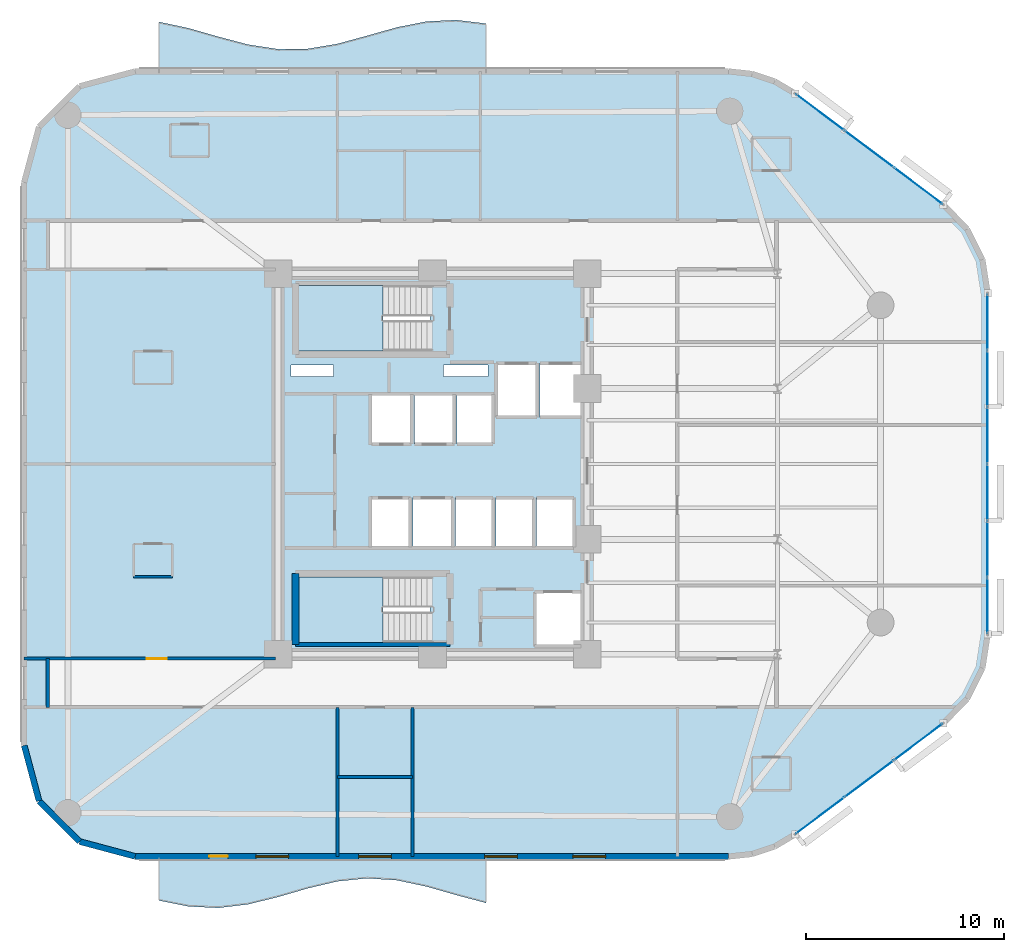
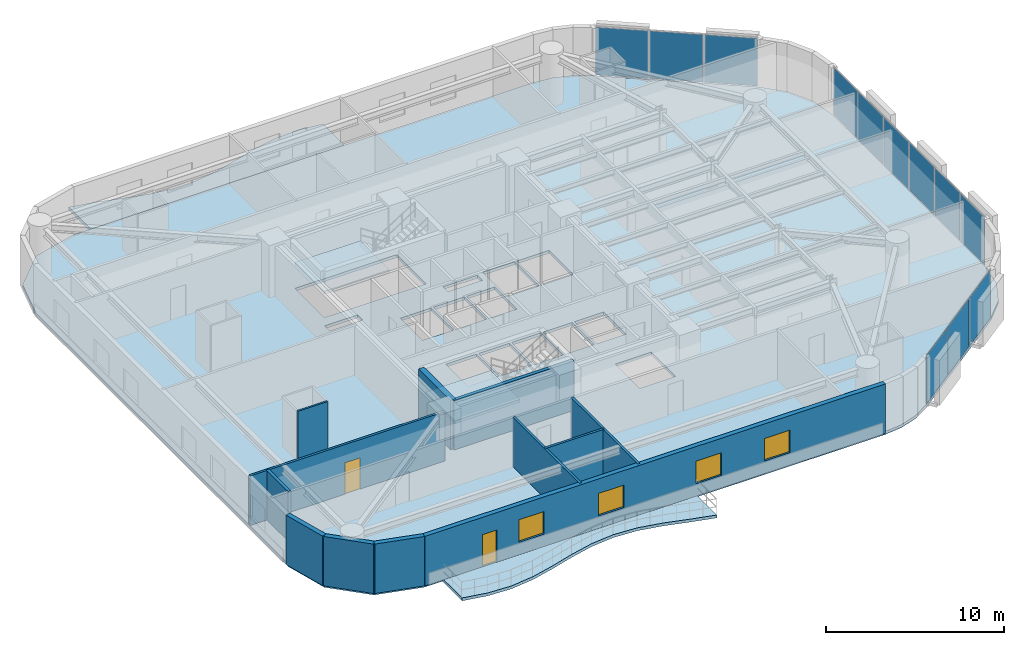
# One storey, part 9 of 15: 12 plates, 12 walls, 5 slabs, 4 windows, 2 doors, 6 openings, 5 elements without a shape of their own.
"""IFC4 building model written with IfcOpenShell, lengths in metres."""

import ifcopenshell
import ifcopenshell.guid

model = None  # the IFC model being written
_history = None  # IfcOwnerHistory: only IFC2X3 demands one
_inside = {}  # id of a spatial element -> (the spatial element, [elements in it])
_under = {}  # id of a project, library or spatial element -> (it, [spatial elements below it])
_declared = {}  # id of a project -> (the project, [libraries it declares])
_typed = {}  # id of a type object -> (the type object, [elements of that type])
_made_of = {}  # id of a material, layer set ... -> (it, [elements and type objects made of it])


def new_model(schema):
    """Start an empty IFC model of exactly this schema.

    Asked for "IFC4X3", IfcOpenShell would pick the latest addendum, in which some entities
    have other attributes; the version numbers below select the first issue.
    IFC2X3 requires an IfcOwnerHistory on every rooted entity: one is made here for all.
    """
    global model, _history
    if schema == "IFC4X3":
        model = ifcopenshell.file(schema_version=(4, 3, 0, 0))
    else:
        model = ifcopenshell.file(schema=schema)
    _inside.clear()
    _under.clear()
    _declared.clear()
    _typed.clear()
    _made_of.clear()
    _history = None
    if model.schema == "IFC2X3":
        org = make("IfcOrganization", Name="unknown")
        user = make(
            "IfcPersonAndOrganization",
            ThePerson=make("IfcPerson", FamilyName="unknown"),
            TheOrganization=org,
        )
        app = make(
            "IfcApplication",
            ApplicationDeveloper=org,
            Version="unknown",
            ApplicationFullName="unknown",
            ApplicationIdentifier="unknown",
        )
        _history = make(
            "IfcOwnerHistory",
            OwningUser=user,
            OwningApplication=app,
            ChangeAction="ADDED",
            CreationDate=0,
        )
    return model


def make(cls, **values):
    """One entity of the class cls with the attributes given. An attribute that is None is left unset."""
    return model.create_entity(
        cls, **{name: value for name, value in values.items() if value is not None}
    )


def rooted(cls, **values):
    """An entity with a GlobalId (a new one), such as an element, a storey or a relation."""
    return make(cls, GlobalId=ifcopenshell.guid.new(), OwnerHistory=_history, **values)


def si_unit(unit_type, name, prefix=None):
    """IfcSIUnit, for example si_unit("LENGTHUNIT", "METRE", prefix="MILLI")."""
    return make("IfcSIUnit", UnitType=unit_type, Prefix=prefix, Name=name)


def assignment(units):
    """IfcUnitAssignment: the units of a project."""
    return None if units is None else make("IfcUnitAssignment", Units=units)


def point(xyz):
    """IfcCartesianPoint."""
    return None if xyz is None else make("IfcCartesianPoint", Coordinates=xyz)


def direction(xyz):
    """IfcDirection."""
    return None if xyz is None else make("IfcDirection", DirectionRatios=xyz)


def frame(location, z_axis=None, x_axis=None):
    """IfcAxis2Placement3D, a coordinate frame: its origin and axes. An axis left out is left unset."""
    return make(
        "IfcAxis2Placement3D",
        Location=point(location),
        Axis=direction(z_axis),
        RefDirection=direction(x_axis),
    )


def frame_2d(location, x_axis=None):
    """IfcAxis2Placement2D, a coordinate frame in the plane: its origin and x axis."""
    return make(
        "IfcAxis2Placement2D", Location=point(location), RefDirection=direction(x_axis)
    )


def origin():
    """The frame at (0, 0, 0) with its axes left unset."""
    return frame((0.0, 0.0, 0.0))


def origin_2d():
    """The frame at (0, 0) in the plane with its x axis left unset."""
    return frame_2d((0.0, 0.0))


def place(relative_to, where):
    """IfcLocalPlacement: puts the frame where relative to a parent placement (None: the world)."""
    return make(
        "IfcLocalPlacement", PlacementRelTo=relative_to, RelativePlacement=where
    )


def context(
    kind, dimensions, precision=None, world=None, true_north=None, identifier=None
):
    """IfcGeometricRepresentationContext, for example the 3D "Model" context."""
    return make(
        "IfcGeometricRepresentationContext",
        ContextIdentifier=identifier,
        ContextType=kind,
        CoordinateSpaceDimension=dimensions,
        Precision=precision,
        WorldCoordinateSystem=world,
        TrueNorth=true_north,
    )


def subcontext(parent, identifier, kind, view, scale=None):
    """IfcGeometricRepresentationSubContext, for example "Body" below "Model"."""
    return make(
        "IfcGeometricRepresentationSubContext",
        ContextIdentifier=identifier,
        ContextType=kind,
        ParentContext=parent,
        TargetScale=scale,
        TargetView=view,
    )


def project(units=None, contexts=None):
    """IfcProject with its units and contexts."""
    return rooted(
        "IfcProject",
        Name="project",
        RepresentationContexts=contexts,
        UnitsInContext=assignment(units),
    )


def spatial(cls, under=None, at=None, **own):
    """A site, building, storey or space (cls), placed at a placement, below another one or the project."""
    s = rooted(cls, ObjectPlacement=at, **own)
    if under is not None:
        _under.setdefault(under.id(), (under, []))[1].append(s)
    return s


def polyline(points):
    """IfcPolyline through the points."""
    return make("IfcPolyline", Points=[point(p) for p in points])


def profile(cls, at=None, kind="AREA", **sizes):
    """A parametric profile (cls). Its sizes go by their IFC names, for example OverallWidth=200.0."""
    return make(cls, ProfileType=kind, Position=at, **sizes)


def rectangle(**sizes):
    """IfcRectangleProfileDef."""
    return profile("IfcRectangleProfileDef", **sizes)


def outline(outer, holes=None, kind="AREA"):
    """IfcArbitraryClosedProfileDef: a profile drawn as a closed curve; with holes, ...WithVoids."""
    if holes is None:
        return make("IfcArbitraryClosedProfileDef", ProfileType=kind, OuterCurve=outer)
    return make(
        "IfcArbitraryProfileDefWithVoids",
        ProfileType=kind,
        OuterCurve=outer,
        InnerCurves=holes,
    )


def extrude(swept, where, along, depth):
    """IfcExtrudedAreaSolid: the profile swept, set in the frame where, extruded along a direction by depth."""
    return make(
        "IfcExtrudedAreaSolid",
        SweptArea=swept,
        Position=where,
        ExtrudedDirection=direction(along),
        Depth=depth,
    )


def shape(context_of_items, identifier, shape_type, items):
    """IfcShapeRepresentation: the items that make up one representation, for example the "Body"."""
    return make(
        "IfcShapeRepresentation",
        ContextOfItems=context_of_items,
        RepresentationIdentifier=identifier,
        RepresentationType=shape_type,
        Items=items,
    )


def material(Name=None, Category=None):
    """IfcMaterial."""
    return make("IfcMaterial", Name=Name, Category=Category)


def layer(
    of_material, thickness, ventilated=None, Name=None, Category=None, Priority=None
):
    """IfcMaterialLayer: one layer of a wall or slab, of a material (None: an air gap)."""
    return make(
        "IfcMaterialLayer",
        Material=of_material,
        LayerThickness=thickness,
        IsVentilated=ventilated,
        Name=Name,
        Category=Category,
        Priority=Priority,
    )


def layer_set(layers, Name=None):
    """IfcMaterialLayerSet."""
    return make("IfcMaterialLayerSet", MaterialLayers=layers, LayerSetName=Name)


def made_of(thing, what):
    """Note that an element or type object is made of a material, layer set ...; save() writes the relation."""
    if what is not None:
        _made_of.setdefault(what.id(), (what, []))[1].append(thing)
    return thing


def type_object(cls, material=None, **own):
    """A type object (cls), such as IfcWallType, which elements share."""
    return made_of(rooted(cls, **own), material)


def element(
    cls,
    number,
    at=None,
    inside=None,
    cuts=None,
    type_object=None,
    material=None,
    context=None,
    identifier="Body",
    shape_type=None,
    held_by="IfcProductDefinitionShape",
    body=None,
    shapes=None,
    **own,
):
    """One element of the class cls, such as IfcWall. Its Tag is "e" and its number.

    at: its placement. inside: the storey or other place that contains it. cuts: it is an
    opening in that element (IfcRelVoidsElement). A single representation is given by context,
    identifier, shape_type and body (its items); several are given by shapes. held_by: the class
    of the entity that holds the representations. save() writes the other relations.
    """
    e = rooted(cls, Tag="e%d" % number, ObjectPlacement=at, **own)
    if body is not None:
        shapes = [shape(context, identifier, shape_type, body)]
    if shapes is not None:
        e.Representation = make(held_by, Representations=shapes)
    if inside is not None:
        _inside.setdefault(inside.id(), (inside, []))[1].append(e)
    if cuts is not None:
        rooted(
            "IfcRelVoidsElement", RelatingBuildingElement=cuts, RelatedOpeningElement=e
        )
    if type_object is not None:
        _typed.setdefault(type_object.id(), (type_object, []))[1].append(e)
    return made_of(e, material)


def fill(opening, filler):
    """IfcRelFillsElement: the door or window that sits in an opening."""
    return rooted(
        "IfcRelFillsElement",
        RelatingOpeningElement=opening,
        RelatedBuildingElement=filler,
    )


def aggregate(whole, parts):
    """IfcRelAggregates: a whole, such as a stair, and the parts it consists of."""
    return rooted("IfcRelAggregates", RelatingObject=whole, RelatedObjects=parts)


def save(model, path):
    """Write the relations noted so far, then the file.

    IfcRelAggregates (storeys below a building ...), IfcRelContainedInSpatialStructure (elements
    in a storey), IfcRelDefinesByType, IfcRelAssociatesMaterial and IfcRelDeclares: one each for
    every whole, place, type object, material and project.
    """
    for whole, parts in _under.values():
        aggregate(whole, parts)
    for where, things in _inside.values():
        rooted(
            "IfcRelContainedInSpatialStructure",
            RelatedElements=things,
            RelatingStructure=where,
        )
    for kind, things in _typed.values():
        rooted("IfcRelDefinesByType", RelatedObjects=things, RelatingType=kind)
    for what, things in _made_of.values():
        rooted("IfcRelAssociatesMaterial", RelatedObjects=things, RelatingMaterial=what)
    for by, libraries in _declared.values():
        rooted("IfcRelDeclares", RelatingContext=by, RelatedDefinitions=libraries)
    model.write(path)


model = new_model("IFC4")

# Units and contexts
model_context = context("Model", 3, precision=1e-05, world=origin(), true_north=direction((0.0, 1.0)))
body_context = subcontext(model_context, "Body", "Model", "MODEL_VIEW")
ifc_project = project(units=[si_unit("LENGTHUNIT", "METRE"), si_unit("AREAUNIT", "SQUARE_METRE"), si_unit("VOLUMEUNIT", "CUBIC_METRE"), si_unit("PLANEANGLEUNIT", "RADIAN"), si_unit("MASSUNIT", "GRAM", prefix="KILO")], contexts=[model_context])

# Site, building, storey
site_placement = place(None, origin())
site = spatial("IfcSite", under=ifc_project, at=site_placement, CompositionType="ELEMENT")
building_placement = place(site_placement, origin())
building = spatial("IfcBuilding", under=site, at=building_placement, Name="An Khanh Terracotta Commons", CompositionType="ELEMENT")
storey_placement = place(building_placement, frame((0.0, 0.0, 122.300048828125)))
storey = spatial("IfcBuildingStorey", under=building, at=storey_placement, Name="L32", CompositionType="ELEMENT", Elevation=122.300048828125)

# Curtain wall, plates
ifc_material_1 = material(Name="Anodised Aluminium 6063-T6", Category="aluminium")
ifc_layer_1 = layer(ifc_material_1, 0.199951171875, Name="Anodised Aluminium 6063-T6")
ifc_layer_set_1 = layer_set([ifc_layer_1], Name="Anodised Aluminium 6063-T6")
curtain_wall_type = type_object("IfcCurtainWallType", Name="CW-SYS-02", PredefinedType="USERDEFINED", material=ifc_layer_set_1)
curtain_wall_1_placement = place(storey_placement, origin())
curtain_wall_1 = element("IfcCurtainWall", 1, at=curtain_wall_1_placement, inside=storey, type_object=curtain_wall_type, Name="L32 CW-02 Unitised Curtain Wall CW-L32-08", ObjectType="UNITISED CURTAIN WALL", PredefinedType="USERDEFINED")
ifc_material_2 = material(Name="Double Low-E Solar Control Glazing", Category="glass")
ifc_layer_2 = layer(ifc_material_2, 0.028076171875, Name="Double Low-E Solar Control Glazing")
ifc_layer_set_2 = layer_set([ifc_layer_2], Name="Double Low-E Solar Control Glazing")
plate_type = type_object("IfcPlateType", Name="CWP-IGU-28", PredefinedType="CURTAIN_PANEL", material=ifc_layer_set_2)
plate_1_placement = place(storey_placement, frame((48.951416015625, 6.263916015625, 0.06005859375), z_axis=(0.0, 0.0, 1.0), x_axis=(0.800012856594, 0.599982857492, 0.0)))
plate_1 = element("IfcPlate", 2, at=plate_1_placement, type_object=plate_type, Name="CW-02 panel 1.1", PredefinedType="CURTAIN_PANEL", context=body_context, shape_type="SweptSolid", body=[
    extrude(rectangle(XDim=3.006103515625, YDim=0.028076171875, at=origin_2d()), origin(), (0.0, 0.0, 1.0), 3.280029296875),
])
plate_2_placement = place(storey_placement, frame((51.426513671875, 8.1201171875, 0.06005859375), z_axis=(0.0, 0.0, 1.0), x_axis=(0.800012856594, 0.599982857492, 0.0)))
plate_2 = element("IfcPlate", 3, at=plate_2_placement, type_object=plate_type, Name="CW-02 panel 2.1", PredefinedType="CURTAIN_PANEL", context=body_context, shape_type="SweptSolid", body=[
    extrude(rectangle(XDim=3.041259765625, YDim=0.028076171875, at=origin_2d()), origin(), (0.0, 0.0, 1.0), 3.280029296875),
])
plate_3_placement = place(storey_placement, frame((53.901611328125, 9.97607421875, 0.06005859375), z_axis=(0.0, 0.0, 1.0), x_axis=(0.800012856594, 0.599982857492, 0.0)))
plate_3 = element("IfcPlate", 4, at=plate_3_placement, type_object=plate_type, Name="CW-02 panel 3.1", PredefinedType="CURTAIN_PANEL", context=body_context, shape_type="SweptSolid", body=[
    extrude(rectangle(XDim=3.006103515625, YDim=0.028076171875, at=origin_2d()), origin(), (0.0, 0.0, 1.0), 3.280029296875),
])
aggregate(curtain_wall_1, [plate_1, plate_2, plate_3])

curtain_wall_2_placement = place(storey_placement, origin())
curtain_wall_2 = element("IfcCurtainWall", 5, at=curtain_wall_2_placement, inside=storey, type_object=curtain_wall_type, Name="L32 CW-02 Unitised Curtain Wall CW-L32-12", ObjectType="UNITISED CURTAIN WALL", PredefinedType="USERDEFINED")
plate_4_placement = place(storey_placement, frame((57.39990234375, 16.850830078125, 0.06005859375), z_axis=(0.0, 0.0, 1.0), x_axis=(0.0, 1.0, 0.0)))
plate_4 = element("IfcPlate", 6, at=plate_4_placement, type_object=plate_type, Name="CW-02 panel 1.1", PredefinedType="CURTAIN_PANEL", context=body_context, shape_type="SweptSolid", body=[
    extrude(rectangle(XDim=2.76171875, YDim=0.028076171875, at=origin_2d()), origin(), (0.0, 0.0, 1.0), 3.280029296875),
])
plate_5_placement = place(storey_placement, frame((57.39990234375, 19.699951171875, 0.06005859375), z_axis=(0.0, 0.0, 1.0), x_axis=(0.0, 1.0, 0.0)))
plate_5 = element("IfcPlate", 7, at=plate_5_placement, type_object=plate_type, Name="CW-02 panel 2.1", PredefinedType="CURTAIN_PANEL", context=body_context, shape_type="SweptSolid", body=[
    extrude(rectangle(XDim=2.796630859375, YDim=0.028076171875, at=origin_2d()), origin(), (0.0, 0.0, 1.0), 3.280029296875),
])
plate_6_placement = place(storey_placement, frame((57.39990234375, 22.566650390625, 0.06005859375), z_axis=(0.0, 0.0, 1.0), x_axis=(0.0, 1.0, 0.0)))
plate_6 = element("IfcPlate", 8, at=plate_6_placement, type_object=plate_type, Name="CW-02 panel 3.1", PredefinedType="CURTAIN_PANEL", context=body_context, shape_type="SweptSolid", body=[
    extrude(rectangle(XDim=2.796630859375, YDim=0.028076171875, at=origin_2d()), origin(), (0.0, 0.0, 1.0), 3.280029296875),
])
plate_7_placement = place(storey_placement, frame((57.39990234375, 25.433349609375, 0.06005859375), z_axis=(0.0, 0.0, 1.0), x_axis=(0.0, 1.0, 0.0)))
plate_7 = element("IfcPlate", 9, at=plate_7_placement, type_object=plate_type, Name="CW-02 panel 4.1", PredefinedType="CURTAIN_PANEL", context=body_context, shape_type="SweptSolid", body=[
    extrude(rectangle(XDim=2.796630859375, YDim=0.028076171875, at=origin_2d()), origin(), (0.0, 0.0, 1.0), 3.280029296875),
])
plate_8_placement = place(storey_placement, frame((57.39990234375, 28.300048828125, 0.06005859375), z_axis=(0.0, 0.0, 1.0), x_axis=(0.0, 1.0, 0.0)))
plate_8 = element("IfcPlate", 10, at=plate_8_placement, type_object=plate_type, Name="CW-02 panel 5.1", PredefinedType="CURTAIN_PANEL", context=body_context, shape_type="SweptSolid", body=[
    extrude(rectangle(XDim=2.796630859375, YDim=0.028076171875, at=origin_2d()), origin(), (0.0, 0.0, 1.0), 3.280029296875),
])
plate_9_placement = place(storey_placement, frame((57.39990234375, 31.149169921875, 0.06005859375), z_axis=(0.0, 0.0, 1.0), x_axis=(0.0, 1.0, 0.0)))
plate_9 = element("IfcPlate", 11, at=plate_9_placement, type_object=plate_type, Name="CW-02 panel 6.1", PredefinedType="CURTAIN_PANEL", context=body_context, shape_type="SweptSolid", body=[
    extrude(rectangle(XDim=2.76171875, YDim=0.028076171875, at=origin_2d()), origin(), (0.0, 0.0, 1.0), 3.280029296875),
])
aggregate(curtain_wall_2, [plate_4, plate_5, plate_6, plate_7, plate_8, plate_9])

curtain_wall_3_placement = place(storey_placement, origin())
curtain_wall_3 = element("IfcCurtainWall", 12, at=curtain_wall_3_placement, inside=storey, type_object=curtain_wall_type, Name="L32 CW-02 Unitised Curtain Wall CW-L32-16", ObjectType="UNITISED CURTAIN WALL", PredefinedType="USERDEFINED")
plate_10_placement = place(storey_placement, frame((53.901611328125, 38.02392578125, 0.06005859375), z_axis=(0.0, 0.0, 1.0), x_axis=(-0.800012856594, 0.599982857492, 0.0)))
plate_10 = element("IfcPlate", 13, at=plate_10_placement, type_object=plate_type, Name="CW-02 panel 1.1", PredefinedType="CURTAIN_PANEL", context=body_context, shape_type="SweptSolid", body=[
    extrude(rectangle(XDim=3.006103515625, YDim=0.028076171875, at=origin_2d()), origin(), (0.0, 0.0, 1.0), 3.280029296875),
])
plate_11_placement = place(storey_placement, frame((51.426513671875, 39.8798828125, 0.06005859375), z_axis=(0.0, 0.0, 1.0), x_axis=(-0.800012856594, 0.599982857492, 0.0)))
plate_11 = element("IfcPlate", 14, at=plate_11_placement, type_object=plate_type, Name="CW-02 panel 2.1", PredefinedType="CURTAIN_PANEL", context=body_context, shape_type="SweptSolid", body=[
    extrude(rectangle(XDim=3.041259765625, YDim=0.028076171875, at=origin_2d()), origin(), (0.0, 0.0, 1.0), 3.280029296875),
])
plate_12_placement = place(storey_placement, frame((48.951416015625, 41.736083984375, 0.06005859375), z_axis=(0.0, 0.0, 1.0), x_axis=(-0.800012856594, 0.599982857492, 0.0)))
plate_12 = element("IfcPlate", 15, at=plate_12_placement, type_object=plate_type, Name="CW-02 panel 3.1", PredefinedType="CURTAIN_PANEL", context=body_context, shape_type="SweptSolid", body=[
    extrude(rectangle(XDim=3.006103515625, YDim=0.028076171875, at=origin_2d()), origin(), (0.0, 0.0, 1.0), 3.280029296875),
])
aggregate(curtain_wall_3, [plate_10, plate_11, plate_12])

# Slabs
ifc_material_3 = material(Name="Concrete C40/50", Category="concrete")
ifc_layer_3 = layer(ifc_material_3, 0.199951171875, Name="Concrete C40/50")
ifc_layer_set_3 = layer_set([ifc_layer_3], Name="Concrete C40/50")
slab_type_1 = type_object("IfcSlabType", Name="SLAB-BALC-200", PredefinedType="FLOOR", material=ifc_layer_set_3)
slab_1_placement = place(storey_placement, frame((0.0, 0.0, -0.199951171875)))
element("IfcSlab", 16, at=slab_1_placement, inside=storey, type_object=slab_type_1, Name="L32 S Sinusoidal Wave Balcony Slab", PredefinedType="FLOOR", context=body_context, shape_type="SweptSolid", body=[
    extrude(outline(polyline([(15.60009765625, 4.199951171875), (15.60009765625, 1.97509765625), (17.10009765625, 1.677001953125), (18.60009765625, 1.60595703125), (20.10009765625, 1.785888671875), (21.60009765625, 2.156005859375), (23.10009765625, 2.591064453125), (24.60009765625, 2.945068359375), (26.10009765625, 3.097900390625), (27.60009765625, 3.0), (29.10009765625, 2.681884765625), (30.60009765625, 2.251953125), (32.10009765625, 1.85498046875), (32.10009765625, 4.199951171875), (15.60009765625, 4.199951171875)])), origin(), (0.0, 0.0, 1.0), 0.199951171875),
])
slab_2_placement = place(storey_placement, frame((0.0, 0.0, -0.199951171875)))
element("IfcSlab", 17, at=slab_2_placement, inside=storey, type_object=slab_type_1, Name="L32 N Sinusoidal Wave Balcony Slab", PredefinedType="FLOOR", context=body_context, shape_type="SweptSolid", body=[
    extrude(outline(polyline([(32.10009765625, 43.800048828125), (32.10009765625, 46.214111328125), (30.60009765625, 46.39404296875), (29.10009765625, 46.322998046875), (27.60009765625, 46.02490234375), (26.10009765625, 45.60107421875), (24.60009765625, 45.193115234375), (23.10009765625, 44.93994140625), (21.60009765625, 44.926025390625), (20.10009765625, 45.155029296875), (18.60009765625, 45.552001953125), (17.10009765625, 45.98193359375), (15.60009765625, 46.300048828125), (15.60009765625, 43.800048828125), (32.10009765625, 43.800048828125)])), origin(), (0.0, 0.0, 1.0), 0.199951171875),
])

# Stair, slab
ifc_material_4 = material(Name="Precast concrete C40/50", Category="concrete")
stair_type = type_object("IfcStairType", Name="STAIR-CORE-1550", PredefinedType="HALF_TURN_STAIR", material=ifc_material_4)
stair_1_placement = place(storey_placement, origin())
stair_1 = element("IfcStair", 18, at=stair_1_placement, inside=storey, type_object=stair_type, Name="L32 Core Smokeproof Exit Stair ST-01", PredefinedType="HALF_TURN_STAIR")
ifc_layer_4 = layer(ifc_material_3, 0.18994140625, Name="Concrete C40/50")
ifc_layer_set_4 = layer_set([ifc_layer_4], Name="Concrete C40/50")
slab_type_2 = type_object("IfcSlabType", Name="SLAB-LANDING-190", PredefinedType="LANDING", material=ifc_layer_set_4)
slab_3_placement = place(storey_placement, frame((0.0, 0.0, 1.599853515625)))
slab_3 = element("IfcSlab", 19, at=slab_3_placement, type_object=slab_type_2, Name="ST-01 landing 1", PredefinedType="LANDING", context=body_context, shape_type="SweptSolid", body=[
    extrude(outline(polyline([(26.889892578125, 33.0), (22.64990234375, 33.0), (22.64990234375, 29.699951171875), (26.889892578125, 29.699951171875), (26.889892578125, 33.0)])), origin(), (0.0, 0.0, 1.0), 0.2001953125),
])
aggregate(stair_1, [slab_3])

stair_2_placement = place(storey_placement, origin())
stair_2 = element("IfcStair", 20, at=stair_2_placement, inside=storey, type_object=stair_type, Name="L32 Core Smokeproof Exit Stair ST-02", PredefinedType="HALF_TURN_STAIR")
slab_4_placement = place(storey_placement, frame((0.0, 0.0, 1.599853515625)))
slab_4 = element("IfcSlab", 21, at=slab_4_placement, type_object=slab_type_2, Name="ST-02 landing 1", PredefinedType="LANDING", context=body_context, shape_type="SweptSolid", body=[
    extrude(outline(polyline([(26.889892578125, 18.300048828125), (22.64990234375, 18.300048828125), (22.64990234375, 15.0), (26.889892578125, 15.0), (26.889892578125, 18.300048828125)])), origin(), (0.0, 0.0, 1.0), 0.2001953125),
])
aggregate(stair_2, [slab_4])

# Slab
ifc_layer_5 = layer(ifc_material_3, 0.199951171875, Name="Concrete C40/50")
ifc_layer_set_5 = layer_set([ifc_layer_5], Name="Concrete C40/50")
slab_type_3 = type_object("IfcSlabType", Name="SLAB-TYP-200", PredefinedType="FLOOR", material=ifc_layer_set_5)
slab_5_placement = place(storey_placement, frame((0.0, 0.0, -0.199951171875)))
element("IfcSlab", 22, at=slab_5_placement, inside=storey, type_object=slab_type_3, Name="L32 Structural Floor Slab", PredefinedType="FLOOR", context=body_context, shape_type="SweptSolid", body=[
    extrude(outline(polyline([(8.800048828125, 9.800048828125), (9.550048828125, 7.0), (11.60009765625, 4.949951171875), (14.39990234375, 4.199951171875), (44.3330078125, 4.199951171875), (45.52490234375, 4.327880859375), (46.6630859375, 4.70703125), (47.693115234375, 5.320068359375), (55.159912109375, 10.919921875), (56.364013671875, 12.154052734375), (57.135009765625, 13.696044921875), (57.39990234375, 15.39990234375), (57.39990234375, 32.60009765625), (57.135009765625, 34.303955078125), (56.364013671875, 35.845947265625), (55.159912109375, 37.080078125), (47.693115234375, 42.679931640625), (46.6630859375, 43.29296875), (45.52490234375, 43.672119140625), (44.3330078125, 43.800048828125), (14.39990234375, 43.800048828125), (11.60009765625, 43.050048828125), (9.550048828125, 41.0), (8.800048828125, 38.199951171875), (8.800048828125, 9.800048828125)]), holes=[polyline([(22.64990234375, 29.699951171875), (29.27001953125, 29.699951171875), (29.27001953125, 33.0), (22.64990234375, 33.0), (22.64990234375, 29.699951171875)]), polyline([(22.64990234375, 15.0), (29.27001953125, 15.0), (29.27001953125, 18.300048828125), (22.64990234375, 18.300048828125), (22.64990234375, 15.0)]), polyline([(32.60009765625, 26.35009765625), (34.679931640625, 26.35009765625), (34.679931640625, 29.080078125), (32.60009765625, 29.080078125), (32.60009765625, 26.35009765625)]), polyline([(34.820068359375, 26.35009765625), (36.89990234375, 26.35009765625), (36.89990234375, 29.080078125), (34.820068359375, 29.080078125), (34.820068359375, 26.35009765625)]), polyline([(34.550048828125, 14.800048828125), (36.89990234375, 14.800048828125), (36.89990234375, 17.550048828125), (34.550048828125, 17.550048828125), (34.550048828125, 14.800048828125)]), polyline([(26.320068359375, 25.0), (28.340087890625, 25.0), (28.340087890625, 27.5), (26.320068359375, 27.5), (26.320068359375, 25.0)]), polyline([(28.47998046875, 25.0), (30.5, 25.0), (30.5, 27.5), (28.47998046875, 27.5), (28.47998046875, 25.0)]), polyline([(26.280029296875, 19.800048828125), (28.280029296875, 19.800048828125), (28.280029296875, 22.300048828125), (26.280029296875, 22.300048828125), (26.280029296875, 19.800048828125)]), polyline([(28.419921875, 19.800048828125), (30.419921875, 19.800048828125), (30.419921875, 22.300048828125), (28.419921875, 22.300048828125), (28.419921875, 19.800048828125)]), polyline([(30.639892578125, 25.0), (32.4599609375, 25.0), (32.4599609375, 27.5), (30.639892578125, 27.5), (30.639892578125, 25.0)]), polyline([(30.56005859375, 19.800048828125), (32.4599609375, 19.800048828125), (32.4599609375, 22.300048828125), (30.56005859375, 22.300048828125), (30.56005859375, 19.800048828125)]), polyline([(32.60009765625, 19.800048828125), (34.5, 19.800048828125), (34.5, 22.300048828125), (32.60009765625, 22.300048828125), (32.60009765625, 19.800048828125)]), polyline([(34.639892578125, 19.800048828125), (36.5400390625, 19.800048828125), (36.5400390625, 22.300048828125), (34.639892578125, 22.300048828125), (34.639892578125, 19.800048828125)]), polyline([(22.25, 28.419921875), (24.39990234375, 28.419921875), (24.39990234375, 28.97998046875), (22.25, 28.97998046875), (22.25, 28.419921875)]), polyline([(29.949951171875, 28.419921875), (32.199951171875, 28.419921875), (32.199951171875, 28.97998046875), (29.949951171875, 28.97998046875), (29.949951171875, 28.419921875)])]), origin(), (0.0, 0.0, 1.0), 0.199951171875),
])

# Walls
ifc_material_5 = material(Name="Fire-Rated Gypsum Board on Steel Stud", Category="steel")
ifc_layer_6 = layer(ifc_material_5, 0.179931640625, Name="Fire-Rated Gypsum Board on Steel Stud")
ifc_layer_set_6 = layer_set([ifc_layer_6], Name="Fire-Rated Gypsum Board on Steel Stud")
wall_type_1 = type_object("IfcWallType", Name="WALL-CORR-180", PredefinedType="PARTITIONING", material=ifc_layer_set_6)
wall_1_placement = place(storey_placement, frame((10.0, 11.719970703125, 0.0), z_axis=(0.0, 0.0, 1.0), x_axis=(0.0, 1.0, 0.0)))
element("IfcWall", 23, at=wall_1_placement, inside=storey, type_object=wall_type_1, Name="L32 Interior Partition IW-L32-E013", PredefinedType="PARTITIONING", context=body_context, shape_type="SweptSolid", body=[
    extrude(rectangle(XDim=2.4599609375, YDim=0.179931640625, at=frame_2d((1.22998046875, 0.0))), origin(), (0.0, 0.0, 1.0), 3.39990234375),
])
ifc_layer_7 = layer(ifc_material_4, 0.300048828125, Name="Precast concrete C40/50")
ifc_layer_set_7 = layer_set([ifc_layer_7], Name="Precast concrete C40/50")
wall_type_2 = type_object("IfcWallType", Name="WALL-EXT-300", PredefinedType="SOLIDWALL", material=ifc_layer_set_7)
wall_2_placement = place(storey_placement, frame((8.800048828125, 9.800048828125, 0.0), z_axis=(0.0, 0.0, 1.0), x_axis=(0.258731875344, -0.96594917914, 0.0)))
element("IfcWall", 24, at=wall_2_placement, inside=storey, type_object=wall_type_2, Name="L32 Insulated Terracotta Exterior Wall 1", PredefinedType="SOLIDWALL", context=body_context, shape_type="SweptSolid", body=[
    extrude(rectangle(XDim=2.898681640625, YDim=0.300048828125, at=frame_2d((1.44921875, 0.0))), origin(), (0.0, 0.0, 1.0), 3.39990234375),
])
wall_3_placement = place(storey_placement, frame((9.550048828125, 7.0, 0.0), z_axis=(0.0, 0.0, 1.0), x_axis=(0.707106781187, -0.707106781187, 0.0)))
element("IfcWall", 25, at=wall_3_placement, inside=storey, type_object=wall_type_2, Name="L32 Insulated Terracotta Exterior Wall 2", PredefinedType="SOLIDWALL", context=body_context, shape_type="SweptSolid", body=[
    extrude(rectangle(XDim=2.899169921875, YDim=0.300048828125, at=frame_2d((1.44970703125, 0.0))), origin(), (0.0, 0.0, 1.0), 3.39990234375),
])
wall_4_placement = place(storey_placement, frame((11.60009765625, 4.949951171875, 0.0), z_axis=(0.0, 0.0, 1.0), x_axis=(0.965943540406, -0.258752926066, 0.0)))
element("IfcWall", 26, at=wall_4_placement, inside=storey, type_object=wall_type_2, Name="L32 Insulated Terracotta Exterior Wall 3", PredefinedType="SOLIDWALL", context=body_context, shape_type="SweptSolid", body=[
    extrude(rectangle(XDim=2.8984375, YDim=0.300048828125, at=frame_2d((1.44921875, 0.0))), origin(), (0.0, 0.0, 1.0), 3.39990234375),
])

# Wall, openings, door, windows
wall_5_placement = place(storey_placement, frame((14.39990234375, 4.199951171875, 0.0), z_axis=(0.0, 0.0, 1.0), x_axis=(1.0, 0.0, 0.0)))
wall_5 = element("IfcWall", 27, at=wall_5_placement, inside=storey, type_object=wall_type_2, Name="L32 Insulated Terracotta Exterior Wall 4", PredefinedType="SOLIDWALL", context=body_context, shape_type="SweptSolid", body=[
    extrude(rectangle(XDim=29.93310546875, YDim=0.300048828125, at=frame_2d((14.966552734375, 0.0))), origin(), (0.0, 0.0, 1.0), 3.39990234375),
])
opening_1_placement = place(wall_5_placement, frame((3.72509765625, 0.0, 0.0)))
opening_1 = element("IfcOpeningElement", 28, at=opening_1_placement, cuts=wall_5, Name="Opening D-BAL", PredefinedType="OPENING", context=body_context, shape_type="SweptSolid", body=[
    extrude(rectangle(XDim=0.949951171875, YDim=2.199951171875, at=frame_2d((0.47509765625, 1.10009765625))), frame((0.0, 0.159912109375, 0.0), z_axis=(0.0, -1.0, 0.0), x_axis=(1.0, 0.0, 0.0)), (0.0, 0.0, 1.0), 0.320068359375),
])
opening_2_placement = place(wall_5_placement, frame((6.092041015625, 0.0, 0.85009765625)))
opening_2 = element("IfcOpeningElement", 29, at=opening_2_placement, cuts=wall_5, Name="Opening W-02", PredefinedType="OPENING", context=body_context, shape_type="SweptSolid", body=[
    extrude(rectangle(XDim=1.64990234375, YDim=1.550048828125, at=frame_2d((0.824951171875, 0.77490234375))), frame((0.0, 0.159912109375, 0.0), z_axis=(0.0, -1.0, 0.0), x_axis=(1.0, 0.0, 0.0)), (0.0, 0.0, 1.0), 0.320068359375),
])
opening_3_placement = place(wall_5_placement, frame((11.27490234375, 0.0, 0.85009765625)))
opening_3 = element("IfcOpeningElement", 30, at=opening_3_placement, cuts=wall_5, Name="Opening W-02", PredefinedType="OPENING", context=body_context, shape_type="SweptSolid", body=[
    extrude(rectangle(XDim=1.64990234375, YDim=1.550048828125, at=frame_2d((0.824951171875, 0.77490234375))), frame((0.0, 0.159912109375, 0.0), z_axis=(0.0, -1.0, 0.0), x_axis=(1.0, 0.0, 0.0)), (0.0, 0.0, 1.0), 0.320068359375),
])
opening_4_placement = place(wall_5_placement, frame((17.625, 0.0, 0.85009765625)))
opening_4 = element("IfcOpeningElement", 31, at=opening_4_placement, cuts=wall_5, Name="Opening W-02", PredefinedType="OPENING", context=body_context, shape_type="SweptSolid", body=[
    extrude(rectangle(XDim=1.64990234375, YDim=1.550048828125, at=frame_2d((0.824951171875, 0.77490234375))), frame((0.0, 0.159912109375, 0.0), z_axis=(0.0, -1.0, 0.0), x_axis=(1.0, 0.0, 0.0)), (0.0, 0.0, 1.0), 0.320068359375),
])
opening_5_placement = place(wall_5_placement, frame((22.074951171875, 0.0, 0.85009765625)))
opening_5 = element("IfcOpeningElement", 32, at=opening_5_placement, cuts=wall_5, Name="Opening W-02", PredefinedType="OPENING", context=body_context, shape_type="SweptSolid", body=[
    extrude(rectangle(XDim=1.64990234375, YDim=1.550048828125, at=frame_2d((0.824951171875, 0.77490234375))), frame((0.0, 0.159912109375, 0.0), z_axis=(0.0, -1.0, 0.0), x_axis=(1.0, 0.0, 0.0)), (0.0, 0.0, 1.0), 0.320068359375),
])
ifc_material_6 = material(Name="Thermally Broken Aluminium and Low-E Glass", Category="aluminium")
door_type_1 = type_object("IfcDoorType", Name="DOOR-BALC-950", OperationType="NOTDEFINED", PredefinedType="DOOR", material=ifc_material_6)
door_1_placement = place(opening_1_placement, origin())
door_1 = element("IfcDoor", 33, at=door_1_placement, inside=storey, type_object=door_type_1, Name="L32 S Wave Balcony Glazed Door", OperationType="SINGLE_SWING_LEFT", OverallHeight=2.199951171875, OverallWidth=0.949951171875, PredefinedType="DOOR", context=body_context, shape_type="SweptSolid", body=[
    extrude(rectangle(XDim=0.949951171875, YDim=2.199951171875, at=frame_2d((0.47509765625, 1.10009765625))), frame((0.0, 0.02490234375, 0.0), z_axis=(0.0, -1.0, 0.0), x_axis=(1.0, 0.0, 0.0)), (0.0, 0.0, 1.0), 0.050048828125),
])
fill(opening_1, door_1)
window_type = type_object("IfcWindowType", Name="WIN-Z2-1650x1550", PartitioningType="DOUBLE_PANEL_VERTICAL", PredefinedType="WINDOW", material=ifc_material_6)
window_1_placement = place(opening_2_placement, origin())
window_1 = element("IfcWindow", 34, at=window_1_placement, inside=storey, type_object=window_type, Name="L32 Operable Casement Window 4.1", OverallHeight=1.550048828125, OverallWidth=1.64990234375, PartitioningType="DOUBLE_PANEL_VERTICAL", PredefinedType="WINDOW", context=body_context, shape_type="SweptSolid", body=[
    extrude(rectangle(XDim=1.64990234375, YDim=1.550048828125, at=frame_2d((0.824951171875, 0.77490234375))), frame((0.0, 0.030029296875, 0.0), z_axis=(0.0, -1.0, 0.0), x_axis=(1.0, 0.0, 0.0)), (0.0, 0.0, 1.0), 0.06005859375),
])
fill(opening_2, window_1)
window_2_placement = place(opening_3_placement, origin())
window_2 = element("IfcWindow", 35, at=window_2_placement, inside=storey, type_object=window_type, Name="L32 Operable Casement Window 4.2", OverallHeight=1.550048828125, OverallWidth=1.64990234375, PartitioningType="DOUBLE_PANEL_VERTICAL", PredefinedType="WINDOW", context=body_context, shape_type="SweptSolid", body=[
    extrude(rectangle(XDim=1.64990234375, YDim=1.550048828125, at=frame_2d((0.824951171875, 0.77490234375))), frame((0.0, 0.030029296875, 0.0), z_axis=(0.0, -1.0, 0.0), x_axis=(1.0, 0.0, 0.0)), (0.0, 0.0, 1.0), 0.06005859375),
])
fill(opening_3, window_2)
window_3_placement = place(opening_4_placement, origin())
window_3 = element("IfcWindow", 36, at=window_3_placement, inside=storey, type_object=window_type, Name="L32 Operable Casement Window 4.3", OverallHeight=1.550048828125, OverallWidth=1.64990234375, PartitioningType="DOUBLE_PANEL_VERTICAL", PredefinedType="WINDOW", context=body_context, shape_type="SweptSolid", body=[
    extrude(rectangle(XDim=1.64990234375, YDim=1.550048828125, at=frame_2d((0.824951171875, 0.77490234375))), frame((0.0, 0.030029296875, 0.0), z_axis=(0.0, -1.0, 0.0), x_axis=(1.0, 0.0, 0.0)), (0.0, 0.0, 1.0), 0.06005859375),
])
fill(opening_4, window_3)
window_4_placement = place(opening_5_placement, origin())
window_4 = element("IfcWindow", 37, at=window_4_placement, inside=storey, type_object=window_type, Name="L32 Operable Casement Window 4.4", OverallHeight=1.550048828125, OverallWidth=1.64990234375, PartitioningType="DOUBLE_PANEL_VERTICAL", PredefinedType="WINDOW", context=body_context, shape_type="SweptSolid", body=[
    extrude(rectangle(XDim=1.64990234375, YDim=1.550048828125, at=frame_2d((0.824951171875, 0.77490234375))), frame((0.0, 0.030029296875, 0.0), z_axis=(0.0, -1.0, 0.0), x_axis=(1.0, 0.0, 0.0)), (0.0, 0.0, 1.0), 0.06005859375),
])
fill(opening_5, window_4)

# Wall
ifc_material_7 = material(Name="Acoustic Gypsum Board Partition")
ifc_layer_8 = layer(ifc_material_7, 0.14990234375, Name="Acoustic Gypsum Board Partition")
ifc_layer_set_8 = layer_set([ifc_layer_8], Name="Acoustic Gypsum Board Partition")
wall_type_3 = type_object("IfcWallType", Name="WALL-PART-150", PredefinedType="PARTITIONING", material=ifc_layer_set_8)
wall_6_placement = place(storey_placement, frame((24.60009765625, 8.199951171875, 0.0), z_axis=(0.0, 0.0, 1.0), x_axis=(1.0, 0.0, 0.0)))
element("IfcWall", 38, at=wall_6_placement, inside=storey, type_object=wall_type_3, Name="L32 Interior Partition IW-L32-E001", PredefinedType="PARTITIONING", context=body_context, shape_type="SweptSolid", body=[
    extrude(rectangle(XDim=3.7998046875, YDim=0.14990234375, at=frame_2d((1.89990234375, 0.0))), origin(), (0.0, 0.0, 1.0), 3.39990234375),
])

# Wall, opening, door
wall_7_placement = place(storey_placement, frame((8.800048828125, 14.179931640625, 0.0), z_axis=(0.0, 0.0, 1.0), x_axis=(1.0, 0.0, 0.0)))
wall_7 = element("IfcWall", 39, at=wall_7_placement, inside=storey, type_object=wall_type_3, Name="L32 Interior Partition IW-L32-E003", PredefinedType="PARTITIONING", context=body_context, shape_type="SweptSolid", body=[
    extrude(rectangle(XDim=12.679931640625, YDim=0.14990234375, at=frame_2d((6.33984375, 0.0))), origin(), (0.0, 0.0, 1.0), 3.39990234375),
])
opening_6_placement = place(wall_7_placement, frame((6.179931640625, 0.0, 0.0)))
opening_6 = element("IfcOpeningElement", 40, at=opening_6_placement, cuts=wall_7, Name="Opening D-UN", PredefinedType="OPENING", context=body_context, shape_type="SweptSolid", body=[
    extrude(rectangle(XDim=1.0, YDim=2.14990234375, at=frame_2d((0.5, 1.074951171875))), frame((0.0, 0.0849609375, 0.0), z_axis=(0.0, -1.0, 0.0), x_axis=(1.0, 0.0, 0.0)), (0.0, 0.0, 1.0), 0.169921875),
])
ifc_material_8 = material(Name="Solid-Core Hardwood Acoustic Fire Door", Category="wood")
door_type_2 = type_object("IfcDoorType", Name="DOOR-UNIT-1000", OperationType="NOTDEFINED", PredefinedType="DOOR", material=ifc_material_8)
door_2_placement = place(opening_6_placement, origin())
door_2 = element("IfcDoor", 41, at=door_2_placement, inside=storey, type_object=door_type_2, Name="L32 WW1 Kitchenette and Studio Apartment Door", OperationType="SINGLE_SWING_LEFT", OverallHeight=2.14990234375, OverallWidth=1.0, PredefinedType="DOOR", context=body_context, shape_type="SweptSolid", body=[
    extrude(rectangle(XDim=1.0, YDim=2.14990234375, at=frame_2d((0.5, 1.074951171875))), frame((0.0, 0.02490234375, 0.0), z_axis=(0.0, -1.0, 0.0), x_axis=(1.0, 0.0, 0.0)), (0.0, 0.0, 1.0), 0.050048828125),
])
fill(opening_6, door_2)

# Walls
for number, where, z_axis, x_axis, name in (
    (42, (24.60009765625, 4.199951171875, 0.0), (0.0, 0.0, 1.0), (0.0, 1.0, 0.0), "L32 Interior Partition IW-L32-E015"),
    (43, (28.39990234375, 4.199951171875, 0.0), (0.0, 0.0, 1.0), (0.0, 1.0, 0.0), "L32 Interior Partition IW-L32-E018"),
):
    element("IfcWall", number, at=place(storey_placement, frame(where, z_axis=z_axis, x_axis=x_axis)), inside=storey, type_object=wall_type_3, Name=name, PredefinedType="PARTITIONING", context=body_context, shape_type="SweptSolid", body=[
        extrude(rectangle(XDim=7.52001953125, YDim=0.14990234375, at=frame_2d((3.760009765625, 0.0))), origin(), (0.0, 0.0, 1.0), 3.39990234375),
    ])
ifc_material_9 = material(Name="Acoustic Double-Stud Gypsum and Mineral Wool")
ifc_layer_9 = layer(ifc_material_9, 0.219970703125, Name="Acoustic Double-Stud Gypsum and Mineral Wool")
ifc_layer_set_9 = layer_set([ifc_layer_9], Name="Acoustic Double-Stud Gypsum and Mineral Wool")
wall_type_4 = type_object("IfcWallType", Name="WALL-PARTY-220", PredefinedType="PARTITIONING", material=ifc_layer_set_9)
wall_8_placement = place(storey_placement, frame((22.47998046875, 14.889892578125, 0.0), z_axis=(0.0, 0.0, 1.0), x_axis=(1.0, 0.0, 0.0)))
element("IfcWall", 44, at=wall_8_placement, inside=storey, type_object=wall_type_4, Name="L32 Core Wall STW-L32-S-S", PredefinedType="PARTITIONING", context=body_context, shape_type="SweptSolid", body=[
    extrude(rectangle(XDim=7.7900390625, YDim=0.219970703125, at=frame_2d((3.89501953125, 0.0))), origin(), (0.0, 0.0, 1.0), 3.39990234375),
])
ifc_material_10 = material(Name="Concrete C50/60", Category="concrete")
ifc_layer_10 = layer(ifc_material_10, 0.35009765625, Name="Concrete C50/60")
ifc_layer_set_10 = layer_set([ifc_layer_10], Name="Concrete C50/60")
wall_type_5 = type_object("IfcWallType", Name="WALL-SHAFT-350", PredefinedType="SOLIDWALL", material=ifc_layer_set_10)
wall_9_placement = place(storey_placement, frame((22.47998046875, 14.889892578125, 0.0), z_axis=(0.0, 0.0, 1.0), x_axis=(0.0, 1.0, 0.0)))
element("IfcWall", 45, at=wall_9_placement, inside=storey, type_object=wall_type_5, Name="L32 Core Wall STW-L32-S-W", PredefinedType="SOLIDWALL", context=body_context, shape_type="SweptSolid", body=[
    extrude(rectangle(XDim=3.580078125, YDim=0.35009765625, at=frame_2d((1.7900390625, 0.0))), origin(), (0.0, 0.0, 1.0), 3.39990234375),
])
ifc_material_11 = material(Name="Moisture-Resistant Cement Board Partition")
ifc_layer_11 = layer(ifc_material_11, 0.1201171875, Name="Moisture-Resistant Cement Board Partition")
ifc_layer_set_11 = layer_set([ifc_layer_11], Name="Moisture-Resistant Cement Board Partition")
wall_type_6 = type_object("IfcWallType", Name="WALL-WET-120", PredefinedType="PARTITIONING", material=ifc_layer_set_11)
wall_10_placement = place(storey_placement, frame((16.27490234375, 18.31494140625, 0.0), z_axis=(0.0, 0.0, 1.0), x_axis=(-1.0, 0.0, 0.0)))
element("IfcWall", 46, at=wall_10_placement, inside=storey, type_object=wall_type_6, Name="L32 Interior Partition IW-L32-WW1-BS", PredefinedType="PARTITIONING", context=body_context, shape_type="SweptSolid", body=[
    extrude(rectangle(XDim=1.949951171875, YDim=0.1201171875, at=frame_2d((0.97509765625, 0.0))), origin(), (0.0, 0.0, 1.0), 3.39990234375),
])

save(model, "model.ifc")
